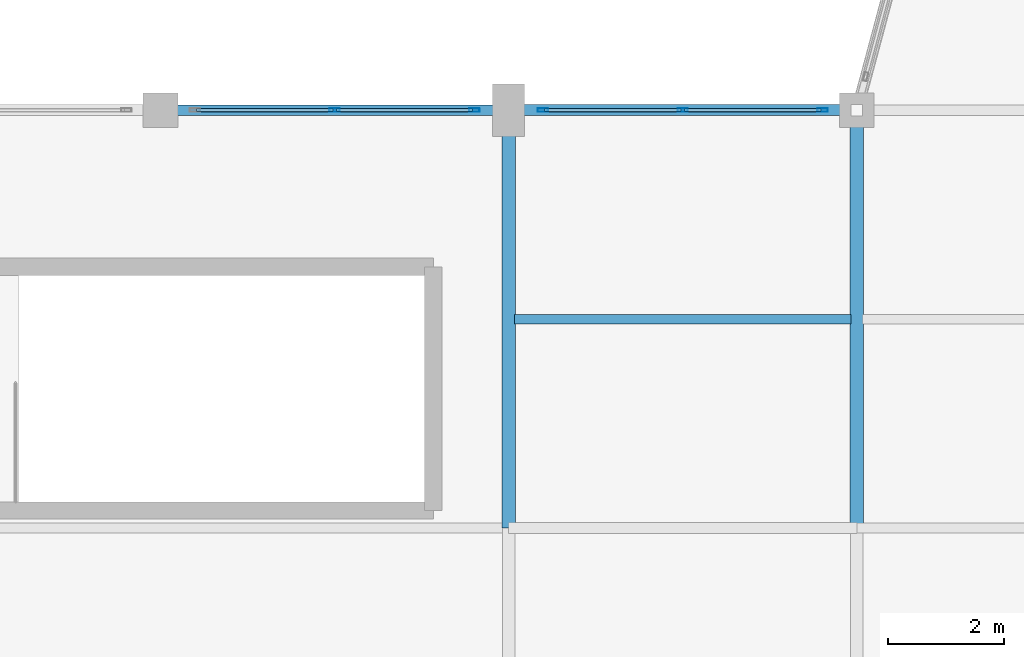
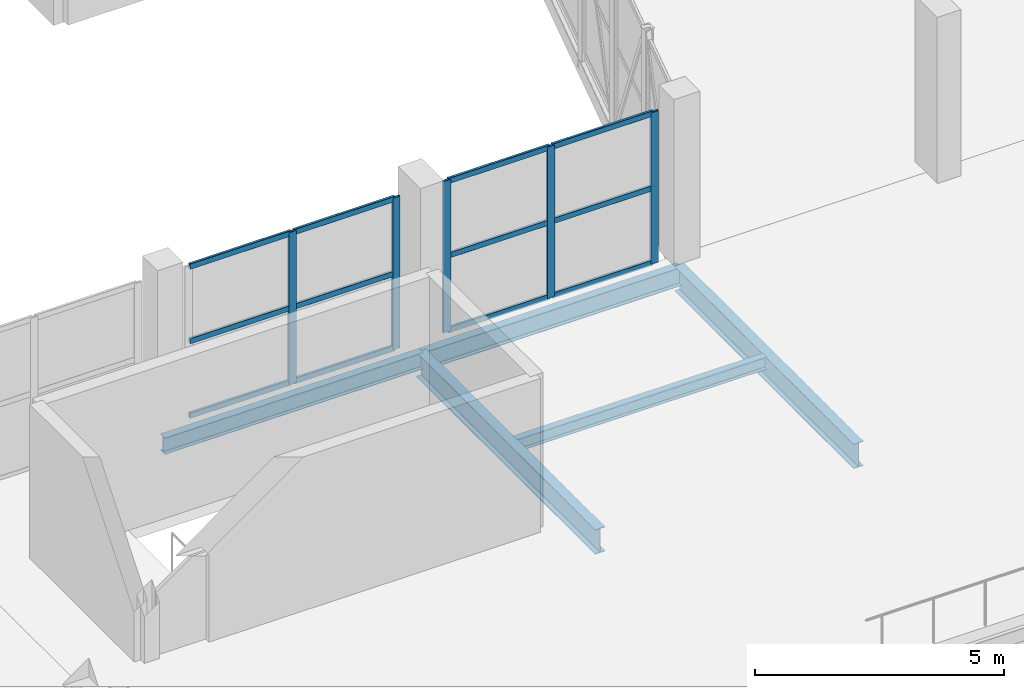
# One storey, part 68 of 127: 17 members, 5 beams, 2 elements without a shape of their own.
"""IFC4 building model written with IfcOpenShell, lengths in metres."""

from ifc_helpers import new_model, si_unit, direction, frame, origin, origin_2d, place, context, subcontext, project, spatial, hollow_rectangle, i_section, extrude, material, layer, layer_set, material_profile, profile_set, type_object, element, aggregate, save


model = new_model("IFC4")

# Units and contexts
model_context = context("Model", 3, precision=1e-05, world=origin(), true_north=direction((0.0, 1.0)))
body_context = subcontext(model_context, "Body", "Model", "MODEL_VIEW")
ifc_project = project(units=[si_unit("LENGTHUNIT", "METRE"), si_unit("AREAUNIT", "SQUARE_METRE"), si_unit("VOLUMEUNIT", "CUBIC_METRE"), si_unit("PLANEANGLEUNIT", "RADIAN"), si_unit("MASSUNIT", "GRAM", prefix="KILO")], contexts=[model_context])

# Site, building, storey
site_placement = place(None, origin())
site = spatial("IfcSite", under=ifc_project, at=site_placement, CompositionType="ELEMENT")
building_placement = place(site_placement, origin())
building = spatial("IfcBuilding", under=site, at=building_placement, Name="Dunvalen Ferry Terminal", CompositionType="ELEMENT")
storey_placement = place(building_placement, frame((0.0, 0.0, 5.760009765625)))
storey = spatial("IfcBuildingStorey", under=building, at=storey_placement, Name="L01", CompositionType="ELEMENT", Elevation=5.760009765625)

# Curtain wall, members
ifc_material_1 = material(Name="Anodised marine aluminium and solar-control glazing", Category="aluminium")
ifc_layer = layer(ifc_material_1, 0.219970703125, Name="Anodised marine aluminium and solar-control glazing")
ifc_layer_set = layer_set([ifc_layer], Name="Anodised marine aluminium and solar-control glazing")
curtain_wall_type = type_object("IfcCurtainWallType", Name="ENV-CW-SYS-02", PredefinedType="NOTDEFINED", material=ifc_layer_set)
curtain_wall_1_placement = place(storey_placement, origin())
curtain_wall_1 = element("IfcCurtainWall", 1, at=curtain_wall_1_placement, inside=storey, type_object=curtain_wall_type, Name="L01 Curtain Wall CW-V2N-L01-02", PredefinedType="NOTDEFINED")
ifc_material_2 = material(Name="Anodised marine aluminium EN AW-6063 T6", Category="aluminium")
ifc_material_profile_1 = material_profile(ifc_material_2, hollow_rectangle(XDim=0.06005859375, YDim=0.179931640625, WallThickness=0.00341796875, InnerFilletRadius=0.00341796875, OuterFilletRadius=0.007080078125, at=origin_2d()), Name="Anodised marine aluminium EN AW-6063 T6")
ifc_profile_set_1 = profile_set([ifc_material_profile_1], Name="Anodised marine aluminium EN AW-6063 T6")
member_type_1 = type_object("IfcMemberType", Name="ENV-CW-MUL-2", PredefinedType="MULLION", material=ifc_profile_set_1)
member_1_placement = place(storey_placement, frame((117.0, 86.39990234375, 0.0), z_axis=(0.0, 0.0, 1.0), x_axis=(0.0, 1.0, 0.0)))
member_1 = element("IfcMember", 2, at=member_1_placement, type_object=member_type_1, Name="CW-02 mullion 2", PredefinedType="MULLION", context=body_context, shape_type="SweptSolid", body=[
    extrude(hollow_rectangle(XDim=0.06005859375, YDim=0.179931640625, WallThickness=0.00341796875, InnerFilletRadius=0.00341796875, OuterFilletRadius=0.007080078125, at=origin_2d()), origin(), (0.0, 0.0, 1.0), 3.719970703125),
])
member_2_placement = place(storey_placement, frame((119.409912109375, 86.39990234375, 0.0), z_axis=(0.0, 0.0, 1.0), x_axis=(0.0, 1.0, 0.0)))
member_2 = element("IfcMember", 3, at=member_2_placement, type_object=member_type_1, Name="CW-02 mullion 3", PredefinedType="MULLION", context=body_context, shape_type="SweptSolid", body=[
    extrude(hollow_rectangle(XDim=0.06005859375, YDim=0.179931640625, WallThickness=0.00341796875, InnerFilletRadius=0.00341796875, OuterFilletRadius=0.007080078125, at=origin_2d()), origin(), (0.0, 0.0, 1.0), 3.719970703125),
])

curtain_wall_2_placement = place(storey_placement, origin())
curtain_wall_2 = element("IfcCurtainWall", 4, at=curtain_wall_2_placement, inside=storey, type_object=curtain_wall_type, Name="L01 Curtain Wall CW-V2N-L01-03", PredefinedType="NOTDEFINED")
member_3_placement = place(storey_placement, frame((120.590087890625, 86.39990234375, 0.0), z_axis=(0.0, 0.0, 1.0), x_axis=(0.0, 1.0, 0.0)))
member_3 = element("IfcMember", 5, at=member_3_placement, type_object=member_type_1, Name="CW-02 mullion 1", PredefinedType="MULLION", context=body_context, shape_type="SweptSolid", body=[
    extrude(hollow_rectangle(XDim=0.06005859375, YDim=0.179931640625, WallThickness=0.00341796875, InnerFilletRadius=0.00341796875, OuterFilletRadius=0.007080078125, at=origin_2d()), origin(), (0.0, 0.0, 1.0), 3.719970703125),
])
member_4_placement = place(storey_placement, frame((123.0, 86.39990234375, 0.0), z_axis=(0.0, 0.0, 1.0), x_axis=(0.0, 1.0, 0.0)))
member_4 = element("IfcMember", 6, at=member_4_placement, type_object=member_type_1, Name="CW-02 mullion 2", PredefinedType="MULLION", context=body_context, shape_type="SweptSolid", body=[
    extrude(hollow_rectangle(XDim=0.06005859375, YDim=0.179931640625, WallThickness=0.00341796875, InnerFilletRadius=0.00341796875, OuterFilletRadius=0.007080078125, at=origin_2d()), origin(), (0.0, 0.0, 1.0), 3.719970703125),
])
member_5_placement = place(storey_placement, frame((125.409912109375, 86.39990234375, 0.0), z_axis=(0.0, 0.0, 1.0), x_axis=(0.0, 1.0, 0.0)))
member_5 = element("IfcMember", 7, at=member_5_placement, type_object=member_type_1, Name="CW-02 mullion 3", PredefinedType="MULLION", context=body_context, shape_type="SweptSolid", body=[
    extrude(hollow_rectangle(XDim=0.06005859375, YDim=0.179931640625, WallThickness=0.00341796875, InnerFilletRadius=0.00341796875, OuterFilletRadius=0.007080078125, at=origin_2d()), origin(), (0.0, 0.0, 1.0), 3.719970703125),
])

# Member
ifc_material_profile_2 = material_profile(ifc_material_2, hollow_rectangle(XDim=0.06005859375, YDim=0.135009765625, WallThickness=0.003173828125, InnerFilletRadius=0.003173828125, OuterFilletRadius=0.00634765625, at=origin_2d()), Name="Anodised marine aluminium EN AW-6063 T6")
ifc_profile_set_2 = profile_set([ifc_material_profile_2], Name="Anodised marine aluminium EN AW-6063 T6")
member_type_2 = type_object("IfcMemberType", Name="ENV-CW-TRN-2", PredefinedType="USERDEFINED", material=ifc_profile_set_2)
member_6_placement = place(storey_placement, frame((114.6201171875, 86.39990234375, 0.030029296875), z_axis=(1.0, 0.0, 0.0), x_axis=(0.0, 1.0, 0.0)))
member_6 = element("IfcMember", 8, at=member_6_placement, type_object=member_type_2, Name="CW-02 transom 1.1", ObjectType="TRANSOM", PredefinedType="USERDEFINED", context=body_context, shape_type="SweptSolid", body=[
    extrude(hollow_rectangle(XDim=0.06005859375, YDim=0.135009765625, WallThickness=0.003173828125, InnerFilletRadius=0.003173828125, OuterFilletRadius=0.00634765625, at=origin_2d()), origin(), (0.0, 0.0, 1.0), 2.349853515625),
])

member_7_placement = place(storey_placement, frame((114.6201171875, 86.39990234375, 1.860107421875), z_axis=(1.0, 0.0, 0.0), x_axis=(0.0, 1.0, 0.0)))
member_7 = element("IfcMember", 9, at=member_7_placement, type_object=member_type_2, Name="CW-02 transom 1.2", ObjectType="TRANSOM", PredefinedType="USERDEFINED", context=body_context, shape_type="SweptSolid", body=[
    extrude(hollow_rectangle(XDim=0.06005859375, YDim=0.135009765625, WallThickness=0.003173828125, InnerFilletRadius=0.003173828125, OuterFilletRadius=0.00634765625, at=origin_2d()), origin(), (0.0, 0.0, 1.0), 2.349853515625),
])

member_8_placement = place(storey_placement, frame((114.6201171875, 86.39990234375, 3.68994140625), z_axis=(1.0, 0.0, 0.0), x_axis=(0.0, 1.0, 0.0)))
member_8 = element("IfcMember", 10, at=member_8_placement, type_object=member_type_2, Name="CW-02 transom 1.3", ObjectType="TRANSOM", PredefinedType="USERDEFINED", context=body_context, shape_type="SweptSolid", body=[
    extrude(hollow_rectangle(XDim=0.06005859375, YDim=0.135009765625, WallThickness=0.003173828125, InnerFilletRadius=0.003173828125, OuterFilletRadius=0.00634765625, at=origin_2d()), origin(), (0.0, 0.0, 1.0), 2.349853515625),
])

member_9_placement = place(storey_placement, frame((117.030029296875, 86.39990234375, 0.030029296875), z_axis=(1.0, 0.0, 0.0), x_axis=(0.0, 1.0, 0.0)))
member_9 = element("IfcMember", 11, at=member_9_placement, type_object=member_type_2, Name="CW-02 transom 2.1", ObjectType="TRANSOM", PredefinedType="USERDEFINED", context=body_context, shape_type="SweptSolid", body=[
    extrude(hollow_rectangle(XDim=0.06005859375, YDim=0.135009765625, WallThickness=0.003173828125, InnerFilletRadius=0.003173828125, OuterFilletRadius=0.00634765625, at=origin_2d()), origin(), (0.0, 0.0, 1.0), 2.349853515625),
])

member_10_placement = place(storey_placement, frame((117.030029296875, 86.39990234375, 1.860107421875), z_axis=(1.0, 0.0, 0.0), x_axis=(0.0, 1.0, 0.0)))
member_10 = element("IfcMember", 12, at=member_10_placement, type_object=member_type_2, Name="CW-02 transom 2.2", ObjectType="TRANSOM", PredefinedType="USERDEFINED", context=body_context, shape_type="SweptSolid", body=[
    extrude(hollow_rectangle(XDim=0.06005859375, YDim=0.135009765625, WallThickness=0.003173828125, InnerFilletRadius=0.003173828125, OuterFilletRadius=0.00634765625, at=origin_2d()), origin(), (0.0, 0.0, 1.0), 2.349853515625),
])

member_11_placement = place(storey_placement, frame((117.030029296875, 86.39990234375, 3.68994140625), z_axis=(1.0, 0.0, 0.0), x_axis=(0.0, 1.0, 0.0)))
member_11 = element("IfcMember", 13, at=member_11_placement, type_object=member_type_2, Name="CW-02 transom 2.3", ObjectType="TRANSOM", PredefinedType="USERDEFINED", context=body_context, shape_type="SweptSolid", body=[
    extrude(hollow_rectangle(XDim=0.06005859375, YDim=0.135009765625, WallThickness=0.003173828125, InnerFilletRadius=0.003173828125, OuterFilletRadius=0.00634765625, at=origin_2d()), origin(), (0.0, 0.0, 1.0), 2.349853515625),
])

aggregate(curtain_wall_1, [member_1, member_2, member_6, member_7, member_8, member_9, member_10, member_11])

member_12_placement = place(storey_placement, frame((120.6201171875, 86.39990234375, 0.030029296875), z_axis=(1.0, 0.0, 0.0), x_axis=(0.0, 1.0, 0.0)))
member_12 = element("IfcMember", 14, at=member_12_placement, type_object=member_type_2, Name="CW-02 transom 1.1", ObjectType="TRANSOM", PredefinedType="USERDEFINED", context=body_context, shape_type="SweptSolid", body=[
    extrude(hollow_rectangle(XDim=0.06005859375, YDim=0.135009765625, WallThickness=0.003173828125, InnerFilletRadius=0.003173828125, OuterFilletRadius=0.00634765625, at=origin_2d()), origin(), (0.0, 0.0, 1.0), 2.349853515625),
])

member_13_placement = place(storey_placement, frame((120.6201171875, 86.39990234375, 1.860107421875), z_axis=(1.0, 0.0, 0.0), x_axis=(0.0, 1.0, 0.0)))
member_13 = element("IfcMember", 15, at=member_13_placement, type_object=member_type_2, Name="CW-02 transom 1.2", ObjectType="TRANSOM", PredefinedType="USERDEFINED", context=body_context, shape_type="SweptSolid", body=[
    extrude(hollow_rectangle(XDim=0.06005859375, YDim=0.135009765625, WallThickness=0.003173828125, InnerFilletRadius=0.003173828125, OuterFilletRadius=0.00634765625, at=origin_2d()), origin(), (0.0, 0.0, 1.0), 2.349853515625),
])

member_14_placement = place(storey_placement, frame((120.6201171875, 86.39990234375, 3.68994140625), z_axis=(1.0, 0.0, 0.0), x_axis=(0.0, 1.0, 0.0)))
member_14 = element("IfcMember", 16, at=member_14_placement, type_object=member_type_2, Name="CW-02 transom 1.3", ObjectType="TRANSOM", PredefinedType="USERDEFINED", context=body_context, shape_type="SweptSolid", body=[
    extrude(hollow_rectangle(XDim=0.06005859375, YDim=0.135009765625, WallThickness=0.003173828125, InnerFilletRadius=0.003173828125, OuterFilletRadius=0.00634765625, at=origin_2d()), origin(), (0.0, 0.0, 1.0), 2.349853515625),
])

member_15_placement = place(storey_placement, frame((123.030029296875, 86.39990234375, 0.030029296875), z_axis=(1.0, 0.0, 0.0), x_axis=(0.0, 1.0, 0.0)))
member_15 = element("IfcMember", 17, at=member_15_placement, type_object=member_type_2, Name="CW-02 transom 2.1", ObjectType="TRANSOM", PredefinedType="USERDEFINED", context=body_context, shape_type="SweptSolid", body=[
    extrude(hollow_rectangle(XDim=0.06005859375, YDim=0.135009765625, WallThickness=0.003173828125, InnerFilletRadius=0.003173828125, OuterFilletRadius=0.00634765625, at=origin_2d()), origin(), (0.0, 0.0, 1.0), 2.349853515625),
])

member_16_placement = place(storey_placement, frame((123.030029296875, 86.39990234375, 1.860107421875), z_axis=(1.0, 0.0, 0.0), x_axis=(0.0, 1.0, 0.0)))
member_16 = element("IfcMember", 18, at=member_16_placement, type_object=member_type_2, Name="CW-02 transom 2.2", ObjectType="TRANSOM", PredefinedType="USERDEFINED", context=body_context, shape_type="SweptSolid", body=[
    extrude(hollow_rectangle(XDim=0.06005859375, YDim=0.135009765625, WallThickness=0.003173828125, InnerFilletRadius=0.003173828125, OuterFilletRadius=0.00634765625, at=origin_2d()), origin(), (0.0, 0.0, 1.0), 2.349853515625),
])

member_17_placement = place(storey_placement, frame((123.030029296875, 86.39990234375, 3.68994140625), z_axis=(1.0, 0.0, 0.0), x_axis=(0.0, 1.0, 0.0)))
member_17 = element("IfcMember", 19, at=member_17_placement, type_object=member_type_2, Name="CW-02 transom 2.3", ObjectType="TRANSOM", PredefinedType="USERDEFINED", context=body_context, shape_type="SweptSolid", body=[
    extrude(hollow_rectangle(XDim=0.06005859375, YDim=0.135009765625, WallThickness=0.003173828125, InnerFilletRadius=0.003173828125, OuterFilletRadius=0.00634765625, at=origin_2d()), origin(), (0.0, 0.0, 1.0), 2.349853515625),
])

aggregate(curtain_wall_2, [member_3, member_4, member_5, member_12, member_13, member_14, member_15, member_16, member_17])

# Beams
ifc_material_3 = material(Name="Steel S355", Category="steel")
ifc_material_profile_3 = material_profile(ifc_material_3, i_section(OverallWidth=0.1650390625, OverallDepth=0.303466796875, WebThickness=0.006103515625, FlangeThickness=0.01025390625, FilletRadius=0.0087890625, at=origin_2d()), Name="Steel S355")
ifc_profile_set_3 = profile_set([ifc_material_profile_3], Name="Steel S355")
beam_type_1 = type_object("IfcBeamType", Name="STR-BM-UKB305", PredefinedType="JOIST", material=ifc_profile_set_3)
beam_1_placement = place(storey_placement, frame((120.10009765625, 82.800048828125, -0.41162109375), z_axis=(1.0, 0.0, 0.0), x_axis=(0.0, 1.0, 0.0)))
element("IfcBeam", 20, at=beam_1_placement, inside=storey, type_object=beam_type_1, Name="L01 V2M Secondary Joist 002", PredefinedType="JOIST", context=body_context, shape_type="SweptSolid", body=[
    extrude(i_section(OverallWidth=0.1650390625, OverallDepth=0.303466796875, WebThickness=0.006103515625, FlangeThickness=0.01025390625, FilletRadius=0.0087890625, at=origin_2d()), origin(), (0.0, 0.0, 1.0), 5.7998046875),
])
ifc_material_profile_4 = material_profile(ifc_material_3, i_section(OverallWidth=0.177978515625, OverallDepth=0.406494140625, WebThickness=0.0078125, FlangeThickness=0.0126953125, FilletRadius=0.01025390625, at=origin_2d()), Name="Steel S355")
ifc_profile_set_4 = profile_set([ifc_material_profile_4], Name="Steel S355")
beam_type_2 = type_object("IfcBeamType", Name="STR-BM-UKB406", PredefinedType="JOIST", material=ifc_profile_set_4)
beam_2_placement = place(storey_placement, frame((114.0, 86.39990234375, -0.463134765625), z_axis=(1.0, 0.0, 0.0), x_axis=(0.0, 1.0, 0.0)))
element("IfcBeam", 21, at=beam_2_placement, inside=storey, type_object=beam_type_2, Name="L01 V2M Primary Beam X-035", PredefinedType="JOIST", context=body_context, shape_type="SweptSolid", body=[
    extrude(i_section(OverallWidth=0.177978515625, OverallDepth=0.406494140625, WebThickness=0.0078125, FlangeThickness=0.0126953125, FilletRadius=0.01025390625, at=origin_2d()), origin(), (0.0, 0.0, 1.0), 6.0),
])
ifc_material_profile_5 = material_profile(ifc_material_3, i_section(OverallWidth=0.1904296875, OverallDepth=0.45703125, WebThickness=0.009033203125, FlangeThickness=0.014404296875, FilletRadius=0.01025390625, at=origin_2d()), Name="Steel S355")
ifc_profile_set_5 = profile_set([ifc_material_profile_5], Name="Steel S355")
beam_type_3 = type_object("IfcBeamType", Name="STR-BM-UKB457", PredefinedType="BEAM", material=ifc_profile_set_5)
beam_3_placement = place(storey_placement, frame((120.0, 86.39990234375, -0.488525390625), z_axis=(1.0, 0.0, 0.0), x_axis=(0.0, 1.0, 0.0)))
element("IfcBeam", 22, at=beam_3_placement, inside=storey, type_object=beam_type_3, Name="L01 V2M Primary Beam X-036", PredefinedType="BEAM", context=body_context, shape_type="SweptSolid", body=[
    extrude(i_section(OverallWidth=0.1904296875, OverallDepth=0.45703125, WebThickness=0.009033203125, FlangeThickness=0.014404296875, FilletRadius=0.01025390625, at=origin_2d()), origin(), (0.0, 0.0, 1.0), 6.0),
])
ifc_material_profile_6 = material_profile(ifc_material_3, i_section(OverallWidth=0.228271484375, OverallDepth=0.607666015625, WebThickness=0.010986328125, FlangeThickness=0.017333984375, FilletRadius=0.0126953125, at=origin_2d()), Name="Steel S355")
ifc_profile_set_6 = profile_set([ifc_material_profile_6], Name="Steel S355")
beam_type_4 = type_object("IfcBeamType", Name="STR-BM-UKB610", PredefinedType="BEAM", material=ifc_profile_set_6)
for number, where, z_axis, x_axis, name in (
    (23, (120.0, 79.199951171875, -0.563720703125), (0.0, 1.0, 0.0), (-1.0, 0.0, 0.0), "L01 V2M Primary Girder Y-047"),
    (24, (126.0, 79.199951171875, -0.563720703125), (0.0, 1.0, 0.0), (-1.0, 0.0, 0.0), "L01 V2M Primary Girder Y-049"),
):
    element("IfcBeam", number, at=place(storey_placement, frame(where, z_axis=z_axis, x_axis=x_axis)), inside=storey, type_object=beam_type_4, Name=name, PredefinedType="BEAM", context=body_context, shape_type="SweptSolid", body=[
        extrude(i_section(OverallWidth=0.228271484375, OverallDepth=0.607666015625, WebThickness=0.010986328125, FlangeThickness=0.017333984375, FilletRadius=0.0126953125, at=origin_2d()), origin(), (0.0, 0.0, 1.0), 7.199951171875),
    ])

save(model, "model.ifc")
